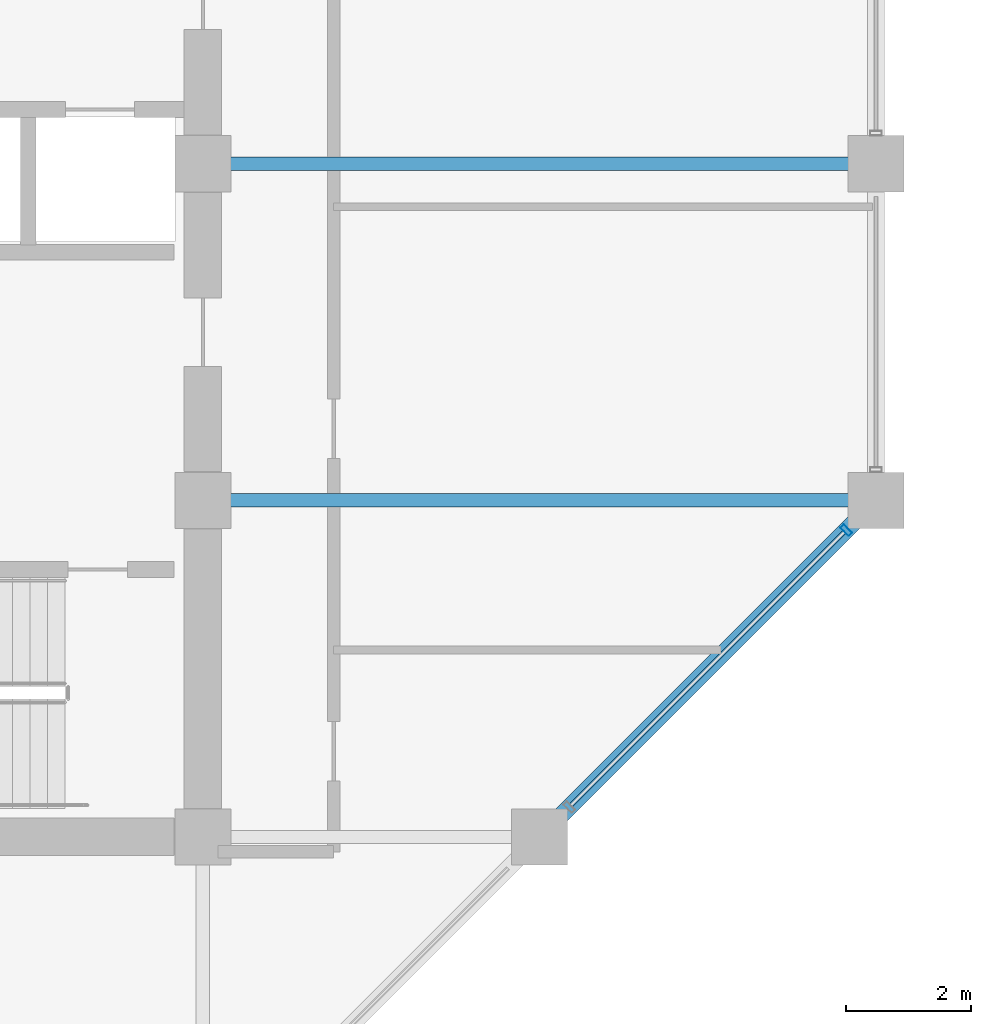
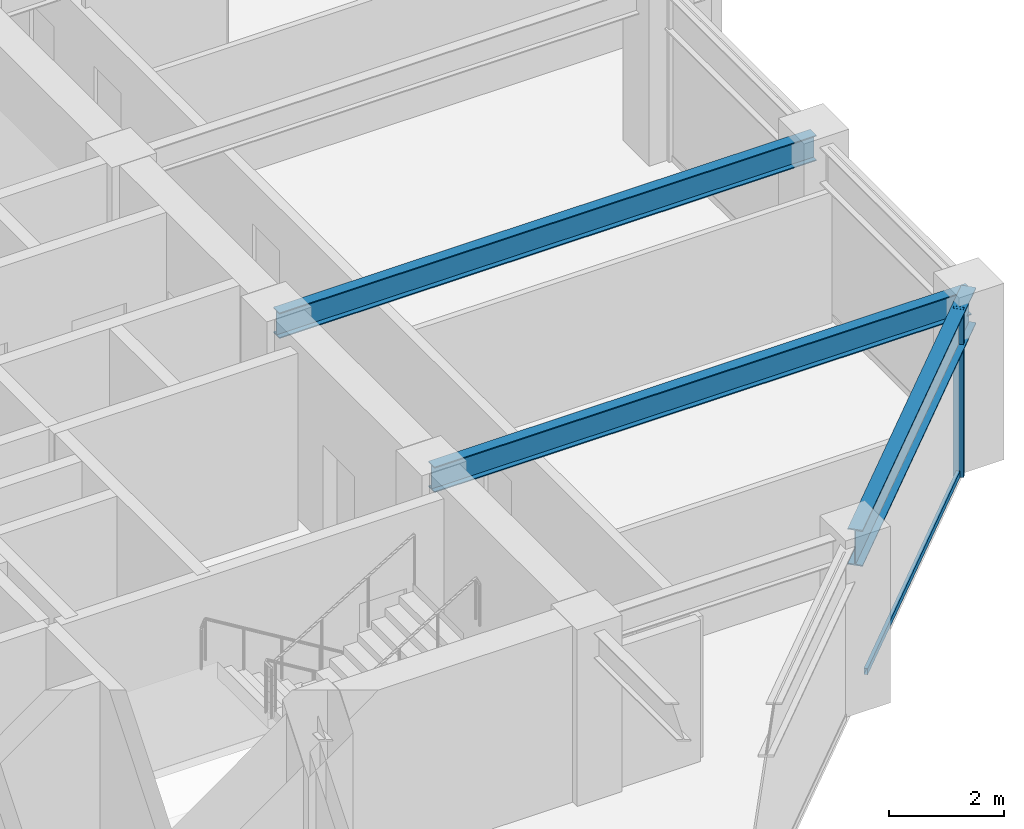
# One storey, part 13 of 32: 3 beams, 2 members, 1 element without a shape of its own.
"""IFC4 building model written with IfcOpenShell, lengths in metres."""

import ifcopenshell
import ifcopenshell.guid

model = None  # the IFC model being written
_history = None  # IfcOwnerHistory: only IFC2X3 demands one
_inside = {}  # id of a spatial element -> (the spatial element, [elements in it])
_under = {}  # id of a project, library or spatial element -> (it, [spatial elements below it])
_declared = {}  # id of a project -> (the project, [libraries it declares])
_typed = {}  # id of a type object -> (the type object, [elements of that type])
_made_of = {}  # id of a material, layer set ... -> (it, [elements and type objects made of it])


def new_model(schema):
    """Start an empty IFC model of exactly this schema.

    Asked for "IFC4X3", IfcOpenShell would pick the latest addendum, in which some entities
    have other attributes; the version numbers below select the first issue.
    IFC2X3 requires an IfcOwnerHistory on every rooted entity: one is made here for all.
    """
    global model, _history
    if schema == "IFC4X3":
        model = ifcopenshell.file(schema_version=(4, 3, 0, 0))
    else:
        model = ifcopenshell.file(schema=schema)
    _inside.clear()
    _under.clear()
    _declared.clear()
    _typed.clear()
    _made_of.clear()
    _history = None
    if model.schema == "IFC2X3":
        org = make("IfcOrganization", Name="unknown")
        user = make(
            "IfcPersonAndOrganization",
            ThePerson=make("IfcPerson", FamilyName="unknown"),
            TheOrganization=org,
        )
        app = make(
            "IfcApplication",
            ApplicationDeveloper=org,
            Version="unknown",
            ApplicationFullName="unknown",
            ApplicationIdentifier="unknown",
        )
        _history = make(
            "IfcOwnerHistory",
            OwningUser=user,
            OwningApplication=app,
            ChangeAction="ADDED",
            CreationDate=0,
        )
    return model


def make(cls, **values):
    """One entity of the class cls with the attributes given. An attribute that is None is left unset."""
    return model.create_entity(
        cls, **{name: value for name, value in values.items() if value is not None}
    )


def rooted(cls, **values):
    """An entity with a GlobalId (a new one), such as an element, a storey or a relation."""
    return make(cls, GlobalId=ifcopenshell.guid.new(), OwnerHistory=_history, **values)


def si_unit(unit_type, name, prefix=None):
    """IfcSIUnit, for example si_unit("LENGTHUNIT", "METRE", prefix="MILLI")."""
    return make("IfcSIUnit", UnitType=unit_type, Prefix=prefix, Name=name)


def assignment(units):
    """IfcUnitAssignment: the units of a project."""
    return None if units is None else make("IfcUnitAssignment", Units=units)


def point(xyz):
    """IfcCartesianPoint."""
    return None if xyz is None else make("IfcCartesianPoint", Coordinates=xyz)


def direction(xyz):
    """IfcDirection."""
    return None if xyz is None else make("IfcDirection", DirectionRatios=xyz)


def frame(location, z_axis=None, x_axis=None):
    """IfcAxis2Placement3D, a coordinate frame: its origin and axes. An axis left out is left unset."""
    return make(
        "IfcAxis2Placement3D",
        Location=point(location),
        Axis=direction(z_axis),
        RefDirection=direction(x_axis),
    )


def frame_2d(location, x_axis=None):
    """IfcAxis2Placement2D, a coordinate frame in the plane: its origin and x axis."""
    return make(
        "IfcAxis2Placement2D", Location=point(location), RefDirection=direction(x_axis)
    )


def origin():
    """The frame at (0, 0, 0) with its axes left unset."""
    return frame((0.0, 0.0, 0.0))


def origin_2d():
    """The frame at (0, 0) in the plane with its x axis left unset."""
    return frame_2d((0.0, 0.0))


def place(relative_to, where):
    """IfcLocalPlacement: puts the frame where relative to a parent placement (None: the world)."""
    return make(
        "IfcLocalPlacement", PlacementRelTo=relative_to, RelativePlacement=where
    )


def context(
    kind, dimensions, precision=None, world=None, true_north=None, identifier=None
):
    """IfcGeometricRepresentationContext, for example the 3D "Model" context."""
    return make(
        "IfcGeometricRepresentationContext",
        ContextIdentifier=identifier,
        ContextType=kind,
        CoordinateSpaceDimension=dimensions,
        Precision=precision,
        WorldCoordinateSystem=world,
        TrueNorth=true_north,
    )


def subcontext(parent, identifier, kind, view, scale=None):
    """IfcGeometricRepresentationSubContext, for example "Body" below "Model"."""
    return make(
        "IfcGeometricRepresentationSubContext",
        ContextIdentifier=identifier,
        ContextType=kind,
        ParentContext=parent,
        TargetScale=scale,
        TargetView=view,
    )


def project(units=None, contexts=None):
    """IfcProject with its units and contexts."""
    return rooted(
        "IfcProject",
        Name="project",
        RepresentationContexts=contexts,
        UnitsInContext=assignment(units),
    )


def spatial(cls, under=None, at=None, **own):
    """A site, building, storey or space (cls), placed at a placement, below another one or the project."""
    s = rooted(cls, ObjectPlacement=at, **own)
    if under is not None:
        _under.setdefault(under.id(), (under, []))[1].append(s)
    return s


def profile(cls, at=None, kind="AREA", **sizes):
    """A parametric profile (cls). Its sizes go by their IFC names, for example OverallWidth=200.0."""
    return make(cls, ProfileType=kind, Position=at, **sizes)


def hollow_rectangle(**sizes):
    """IfcRectangleHollowProfileDef."""
    return profile("IfcRectangleHollowProfileDef", **sizes)


def i_section(**sizes):
    """IfcIShapeProfileDef."""
    return profile("IfcIShapeProfileDef", **sizes)


def extrude(swept, where, along, depth):
    """IfcExtrudedAreaSolid: the profile swept, set in the frame where, extruded along a direction by depth."""
    return make(
        "IfcExtrudedAreaSolid",
        SweptArea=swept,
        Position=where,
        ExtrudedDirection=direction(along),
        Depth=depth,
    )


def shape(context_of_items, identifier, shape_type, items):
    """IfcShapeRepresentation: the items that make up one representation, for example the "Body"."""
    return make(
        "IfcShapeRepresentation",
        ContextOfItems=context_of_items,
        RepresentationIdentifier=identifier,
        RepresentationType=shape_type,
        Items=items,
    )


def material(Name=None, Category=None):
    """IfcMaterial."""
    return make("IfcMaterial", Name=Name, Category=Category)


def layer(
    of_material, thickness, ventilated=None, Name=None, Category=None, Priority=None
):
    """IfcMaterialLayer: one layer of a wall or slab, of a material (None: an air gap)."""
    return make(
        "IfcMaterialLayer",
        Material=of_material,
        LayerThickness=thickness,
        IsVentilated=ventilated,
        Name=Name,
        Category=Category,
        Priority=Priority,
    )


def layer_set(layers, Name=None):
    """IfcMaterialLayerSet."""
    return make("IfcMaterialLayerSet", MaterialLayers=layers, LayerSetName=Name)


def material_profile(
    of_material, cross_section, Name=None, Category=None, Priority=None
):
    """IfcMaterialProfile: a cross section and its material."""
    return make(
        "IfcMaterialProfile",
        Name=Name,
        Material=of_material,
        Profile=cross_section,
        Priority=Priority,
        Category=Category,
    )


def profile_set(profiles, Name=None, composite=None):
    """IfcMaterialProfileSet."""
    return make(
        "IfcMaterialProfileSet",
        Name=Name,
        MaterialProfiles=profiles,
        CompositeProfile=composite,
    )


def made_of(thing, what):
    """Note that an element or type object is made of a material, layer set ...; save() writes the relation."""
    if what is not None:
        _made_of.setdefault(what.id(), (what, []))[1].append(thing)
    return thing


def type_object(cls, material=None, **own):
    """A type object (cls), such as IfcWallType, which elements share."""
    return made_of(rooted(cls, **own), material)


def element(
    cls,
    number,
    at=None,
    inside=None,
    cuts=None,
    type_object=None,
    material=None,
    context=None,
    identifier="Body",
    shape_type=None,
    held_by="IfcProductDefinitionShape",
    body=None,
    shapes=None,
    **own,
):
    """One element of the class cls, such as IfcWall. Its Tag is "e" and its number.

    at: its placement. inside: the storey or other place that contains it. cuts: it is an
    opening in that element (IfcRelVoidsElement). A single representation is given by context,
    identifier, shape_type and body (its items); several are given by shapes. held_by: the class
    of the entity that holds the representations. save() writes the other relations.
    """
    e = rooted(cls, Tag="e%d" % number, ObjectPlacement=at, **own)
    if body is not None:
        shapes = [shape(context, identifier, shape_type, body)]
    if shapes is not None:
        e.Representation = make(held_by, Representations=shapes)
    if inside is not None:
        _inside.setdefault(inside.id(), (inside, []))[1].append(e)
    if cuts is not None:
        rooted(
            "IfcRelVoidsElement", RelatingBuildingElement=cuts, RelatedOpeningElement=e
        )
    if type_object is not None:
        _typed.setdefault(type_object.id(), (type_object, []))[1].append(e)
    return made_of(e, material)


def aggregate(whole, parts):
    """IfcRelAggregates: a whole, such as a stair, and the parts it consists of."""
    return rooted("IfcRelAggregates", RelatingObject=whole, RelatedObjects=parts)


def save(model, path):
    """Write the relations noted so far, then the file.

    IfcRelAggregates (storeys below a building ...), IfcRelContainedInSpatialStructure (elements
    in a storey), IfcRelDefinesByType, IfcRelAssociatesMaterial and IfcRelDeclares: one each for
    every whole, place, type object, material and project.
    """
    for whole, parts in _under.values():
        aggregate(whole, parts)
    for where, things in _inside.values():
        rooted(
            "IfcRelContainedInSpatialStructure",
            RelatedElements=things,
            RelatingStructure=where,
        )
    for kind, things in _typed.values():
        rooted("IfcRelDefinesByType", RelatedObjects=things, RelatingType=kind)
    for what, things in _made_of.values():
        rooted("IfcRelAssociatesMaterial", RelatedObjects=things, RelatingMaterial=what)
    for by, libraries in _declared.values():
        rooted("IfcRelDeclares", RelatingContext=by, RelatedDefinitions=libraries)
    model.write(path)


model = new_model("IFC4")

# Units and contexts
model_context = context("Model", 3, precision=1e-05, world=origin(), true_north=direction((0.0, 1.0)))
body_context = subcontext(model_context, "Body", "Model", "MODEL_VIEW")
ifc_project = project(units=[si_unit("LENGTHUNIT", "METRE"), si_unit("AREAUNIT", "SQUARE_METRE"), si_unit("VOLUMEUNIT", "CUBIC_METRE"), si_unit("PLANEANGLEUNIT", "RADIAN"), si_unit("MASSUNIT", "GRAM", prefix="KILO")], contexts=[model_context])

# Site, building, storey
site_placement = place(None, origin())
site = spatial("IfcSite", under=ifc_project, at=site_placement, CompositionType="ELEMENT")
building_placement = place(site_placement, origin())
building = spatial("IfcBuilding", under=site, at=building_placement, Name="Surkhivell Harbour Commons", CompositionType="ELEMENT")
storey_placement = place(building_placement, frame((0.0, 0.0, 189.75)))
storey = spatial("IfcBuildingStorey", under=building, at=storey_placement, Name="L49", CompositionType="ELEMENT", Elevation=189.75)

# Beams
ifc_material_1 = material(Name="Steel S355", Category="steel")
ifc_material_profile_1 = material_profile(ifc_material_1, i_section(OverallWidth=0.2119140625, OverallDepth=0.5439453125, WebThickness=0.0126953125, FlangeThickness=0.021240234375, at=origin_2d()), Name="UB533x210x122")
ifc_profile_set_1 = profile_set([ifc_material_profile_1], Name="Steel S355")
beam_type_1 = type_object("IfcBeamType", Name="BM-GRD-533A", PredefinedType="BEAM", material=ifc_profile_set_1)
for number, where, z_axis, x_axis, name in (
    (1, (10.800048828125, -5.39990234375, 3.298095703125), (1.0, 0.0, 0.0), (0.0, 1.0, 0.0), "L49 Floor Girder (10.8,-5.4)"),
    (2, (10.800048828125, 0.0, 3.298095703125), (1.0, 0.0, 0.0), (0.0, 1.0, 0.0), "L49 Floor Girder (10.8,0.0)"),
):
    element("IfcBeam", number, at=place(storey_placement, frame(where, z_axis=z_axis, x_axis=x_axis)), inside=storey, type_object=beam_type_1, Name=name, PredefinedType="BEAM", context=body_context, shape_type="SweptSolid", body=[
        extrude(i_section(OverallWidth=0.2119140625, OverallDepth=0.5439453125, WebThickness=0.0126953125, FlangeThickness=0.021240234375, at=origin_2d()), origin(), (0.0, 0.0, 1.0), 10.800048828125),
    ])
ifc_material_profile_2 = material_profile(ifc_material_1, i_section(OverallWidth=0.26806640625, OverallDepth=0.77001953125, WebThickness=0.015625, FlangeThickness=0.025390625, at=origin_2d()), Name="UB762x267x197")
ifc_profile_set_2 = profile_set([ifc_material_profile_2], Name="Steel S355")
beam_type_2 = type_object("IfcBeamType", Name="BM-SPN-762", PredefinedType="SPANDREL", material=ifc_profile_set_2)
beam_placement = place(storey_placement, frame((16.199951171875, -10.800048828125, 3.18505859375), z_axis=(0.707106781187, 0.707106781187, 0.0), x_axis=(-0.707106781187, 0.707106781187, 0.0)))
element("IfcBeam", 3, at=beam_placement, inside=storey, type_object=beam_type_2, Name="L49 Tube Spandrel (16.2,-10.8)", PredefinedType="SPANDREL", context=body_context, shape_type="SweptSolid", body=[
    extrude(i_section(OverallWidth=0.26806640625, OverallDepth=0.77001953125, WebThickness=0.015625, FlangeThickness=0.025390625, at=origin_2d()), origin(), (0.0, 0.0, 1.0), 7.636962890625),
])

# Curtain wall, members
ifc_material_2 = material(Name="Anodised pale-metal aluminium and insulated glazing", Category="aluminium")
ifc_layer = layer(ifc_material_2, 0.18994140625)
ifc_layer_set = layer_set([ifc_layer], Name="Anodised pale-metal aluminium and insulated glazing")
curtain_wall_type = type_object("IfcCurtainWallType", Name="CW-SYS-Z3", PredefinedType="NOTDEFINED", material=ifc_layer_set)
curtain_wall_placement = place(storey_placement, origin())
curtain_wall = element("IfcCurtainWall", 4, at=curtain_wall_placement, inside=storey, type_object=curtain_wall_type, Name="L49 Curtain Wall CW-L49-E01", PredefinedType="NOTDEFINED")
ifc_material_3 = material(Name="Anodised pale-metal aluminium alloy 6063-T6", Category="aluminium")
ifc_material_profile_3 = material_profile(ifc_material_3, hollow_rectangle(XDim=0.074951171875, YDim=0.18994140625, WallThickness=0.00390625, at=origin_2d()), Name="ALU-MULL-75x190")
ifc_profile_set_3 = profile_set([ifc_material_profile_3], Name="Anodised pale-metal aluminium alloy 6063-T6")
member_type_1 = type_object("IfcMemberType", Name="CWM-190", PredefinedType="MULLION", material=ifc_profile_set_3)
member_1_placement = place(storey_placement, frame((21.121826171875, -5.878173828125, 0.0), z_axis=(0.0, 0.0, 1.0), x_axis=(0.707106781187, 0.707106781187, 0.0)))
member_1 = element("IfcMember", 5, at=member_1_placement, type_object=member_type_1, Name="CW-Z3 mullion 4", PredefinedType="MULLION", context=body_context, shape_type="SweptSolid", body=[
    extrude(hollow_rectangle(XDim=0.074951171875, YDim=0.18994140625, WallThickness=0.00390625, at=origin_2d()), origin(), (0.0, 0.0, 1.0), 3.570068359375),
])
ifc_material_4 = material(Name="Champagne anodised aluminium alloy 6063-T6", Category="aluminium")
ifc_material_profile_4 = material_profile(ifc_material_4, hollow_rectangle(XDim=0.070068359375, YDim=0.1298828125, WallThickness=0.00341796875, at=origin_2d()), Name="ALU-TRAN-70x130")
ifc_profile_set_4 = profile_set([ifc_material_profile_4], Name="Champagne anodised aluminium alloy 6063-T6")
member_type_2 = type_object("IfcMemberType", Name="CWT-130", PredefinedType="USERDEFINED", material=ifc_profile_set_4)
member_2_placement = place(storey_placement, frame((16.70458984375, -10.29541015625, 0.06494140625), z_axis=(0.707106781187, 0.707106781187, 0.0), x_axis=(-0.707106781187, 0.707106781187, 0.0)))
member_2 = element("IfcMember", 6, at=member_2_placement, type_object=member_type_2, Name="CW-Z3 transom 3.1", ObjectType="TRANSOM", PredefinedType="USERDEFINED", context=body_context, shape_type="SweptSolid", body=[
    extrude(hollow_rectangle(XDim=0.070068359375, YDim=0.1298828125, WallThickness=0.00341796875, at=origin_2d()), origin(), (0.0, 0.0, 1.0), 6.209228515625),
])
aggregate(curtain_wall, [member_1, member_2])

save(model, "model.ifc")
